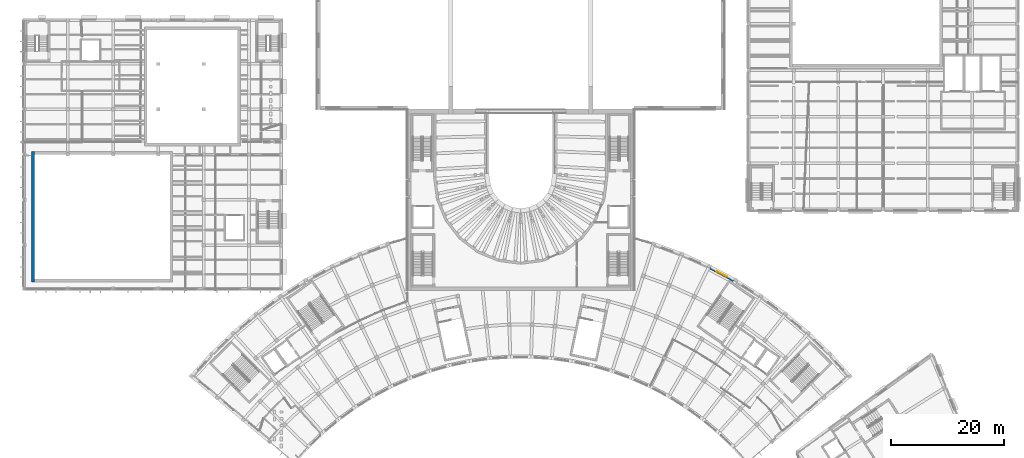
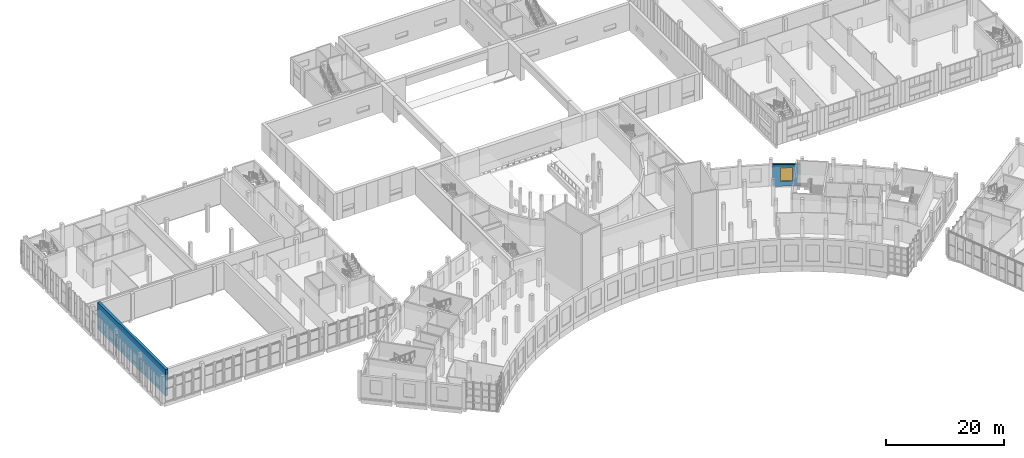
# One storey, part 35 of 87: 2 walls, 1 window, 1 opening.
"""IFC4 building model written with IfcOpenShell, lengths in metres."""

from ifc_helpers import new_model, si_unit, direction, frame, frame_2d, origin, place, context, subcontext, project, spatial, rectangle, extrude, material, layer, layer_set, type_object, element, fill, save


model = new_model("IFC4")

# Units and contexts
model_context = context("Model", 3, precision=1e-05, world=origin(), true_north=direction((0.0, 1.0)))
body_context = subcontext(model_context, "Body", "Model", "MODEL_VIEW")
ifc_project = project(units=[si_unit("LENGTHUNIT", "METRE"), si_unit("AREAUNIT", "SQUARE_METRE"), si_unit("VOLUMEUNIT", "CUBIC_METRE"), si_unit("PLANEANGLEUNIT", "RADIAN"), si_unit("MASSUNIT", "GRAM", prefix="KILO")], contexts=[model_context])

# Site, building, storey
site_placement = place(None, origin())
site = spatial("IfcSite", under=ifc_project, at=site_placement, CompositionType="ELEMENT")
building_placement = place(site_placement, origin())
building = spatial("IfcBuilding", under=site, at=building_placement, Name="Lunette Opera House", CompositionType="ELEMENT")
storey_placement = place(building_placement, frame((0.0, 0.0, 11.5)))
storey = spatial("IfcBuildingStorey", under=building, at=storey_placement, Name="L02", CompositionType="ELEMENT", Elevation=11.5)

# Wall, opening, window
ifc_material_1 = material(Name="Clinker brick", Category="masonry")
ifc_layer_1 = layer(ifc_material_1, 0.449951171875)
ifc_layer_set_1 = layer_set([ifc_layer_1], Name="Clinker brick")
wall_type_1 = type_object("IfcWallType", Name="ARM RAIN SCREEN WALL 450", PredefinedType="SOLIDWALL", material=ifc_layer_set_1)
wall_1_placement = place(storey_placement, frame((129.48291015625, 67.965087890625, 0.0), z_axis=(0.0, 0.0, 1.0), x_axis=(0.882963316504, -0.469441989716, 0.0)))
wall_1 = element("IfcWall", 1, at=wall_1_placement, inside=storey, type_object=wall_type_1, Name="Arm Rain Screen Wall 450 BW-CE03 L02", PredefinedType="SOLIDWALL", context=body_context, shape_type="SweptSolid", body=[
    extrude(rectangle(XDim=4.68896484375, YDim=0.449951171875, at=frame_2d((2.344482421875, 0.0))), origin(), (0.0, 0.0, 1.0), 4.47998046875),
])
opening_placement = place(wall_1_placement, frame((1.344970703125, 0.0, 1.0)))
opening = element("IfcOpeningElement", 2, at=opening_placement, cuts=wall_1, Name="Opening FC-N2151", PredefinedType="OPENING", context=body_context, shape_type="SweptSolid", body=[
    extrude(rectangle(XDim=2.0, YDim=2.800048828125, at=frame_2d((1.0, 1.39990234375))), frame((0.0, 0.237060546875, 0.0), z_axis=(0.0, -1.0, 0.0), x_axis=(1.0, 0.0, 0.0)), (0.0, 0.0, 1.0), 0.473876953125),
])
ifc_material_2 = material(Name="Aluminium", Category="aluminium")
window_type = type_object("IfcWindowType", Name="ARM WINDOW 2000 X 2800", PartitioningType="DOUBLE_PANEL_VERTICAL", PredefinedType="WINDOW", material=ifc_material_2)
window_placement = place(opening_placement, origin())
window = element("IfcWindow", 3, at=window_placement, inside=storey, type_object=window_type, Name="Arm Window 2000 X 2800 BW-CE03 L02", OverallHeight=2.800048828125, OverallWidth=2.0, PartitioningType="DOUBLE_PANEL_VERTICAL", PredefinedType="WINDOW", context=body_context, shape_type="SweptSolid", body=[
    extrude(rectangle(XDim=2.0, YDim=2.800048828125, at=frame_2d((1.0, 1.39990234375))), frame((0.0, 0.030029296875, 0.0), z_axis=(0.0, -1.0, 0.0), x_axis=(1.0, 0.0, 0.0)), (0.0, 0.0, 1.0), 0.06005859375),
])
fill(opening, window)

# Wall
ifc_material_3 = material(Name="Concrete C35/45", Category="concrete")
ifc_layer_2 = layer(ifc_material_3, 0.5)
ifc_layer_set_2 = layer_set([ifc_layer_2], Name="Concrete C35/45")
wall_type_2 = type_object("IfcWallType", Name="RC WALL 500", PredefinedType="SHEAR", material=ifc_layer_set_2)
wall_2_placement = place(storey_placement, frame((9.81005859375, 65.5, 0.0), z_axis=(0.0, 0.0, 1.0), x_axis=(0.0, 1.0, 0.0)))
element("IfcWall", 4, at=wall_2_placement, inside=storey, type_object=wall_type_2, Name="wall-RW-L02-HW-W-1", PredefinedType="SHEAR", context=body_context, shape_type="SweptSolid", body=[
    extrude(rectangle(XDim=23.0, YDim=0.5, at=frame_2d((11.5, 0.0))), origin(), (0.0, 0.0, 1.0), 5.5),
])

save(model, "model.ifc")
